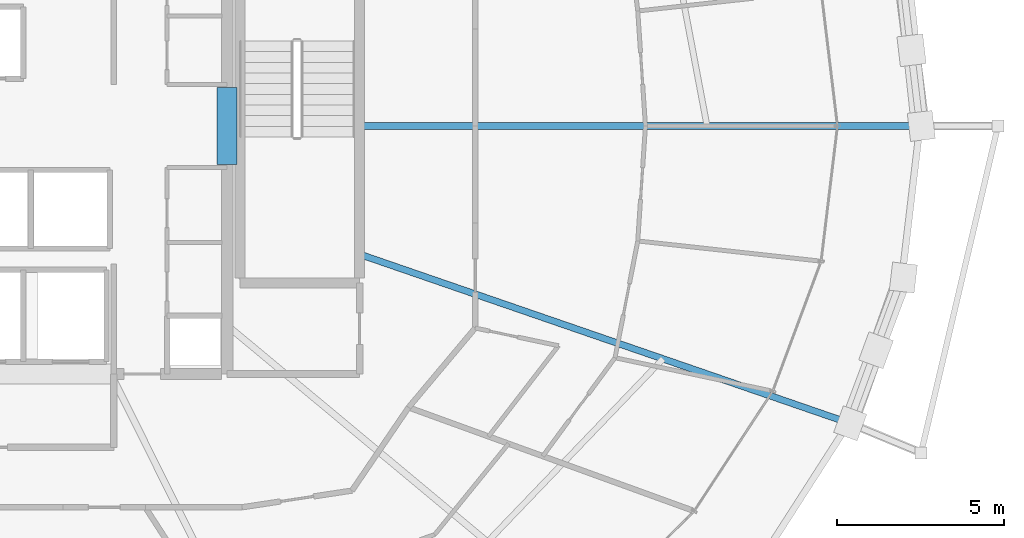
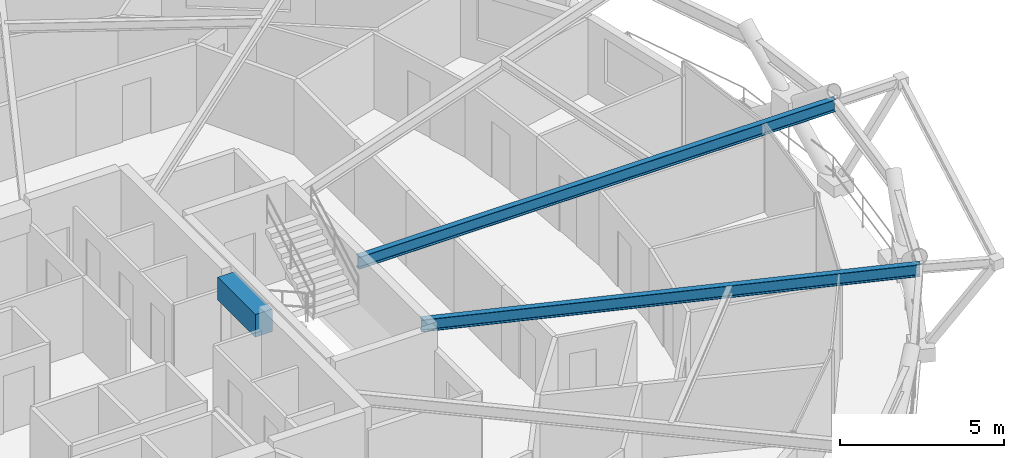
# One storey, part 9 of 20: 3 beams.
"""IFC4 building model written with IfcOpenShell, lengths in metres."""

from ifc_helpers import new_model, si_unit, direction, frame, origin, origin_2d, place, context, subcontext, project, spatial, rectangle, i_section, extrude, material, material_profile, profile_set, type_object, element, save


model = new_model("IFC4")

# Units and contexts
model_context = context("Model", 3, precision=1e-05, world=origin(), true_north=direction((0.0, 1.0)))
body_context = subcontext(model_context, "Body", "Model", "MODEL_VIEW")
ifc_project = project(units=[si_unit("LENGTHUNIT", "METRE"), si_unit("AREAUNIT", "SQUARE_METRE"), si_unit("VOLUMEUNIT", "CUBIC_METRE"), si_unit("PLANEANGLEUNIT", "RADIAN"), si_unit("MASSUNIT", "GRAM", prefix="KILO")], contexts=[model_context])

# Site, building, storey
site_placement = place(None, origin())
site = spatial("IfcSite", under=ifc_project, at=site_placement, CompositionType="ELEMENT")
building_placement = place(site_placement, origin())
building = spatial("IfcBuilding", under=site, at=building_placement, Name="Veldorina Hangang Commons", CompositionType="ELEMENT")
storey_placement = place(building_placement, frame((0.0, 0.0, 171.199951171875)))
storey = spatial("IfcBuildingStorey", under=building, at=storey_placement, Name="L44", CompositionType="ELEMENT", Elevation=171.199951171875)

# Beams
ifc_material_1 = material(Name="Concrete C60/75", Category="concrete")
ifc_material_profile_1 = material_profile(ifc_material_1, rectangle(XDim=0.60009765625, YDim=0.85009765625, at=origin_2d()), Name="RC-CB-600x850")
ifc_profile_set_1 = profile_set([ifc_material_profile_1], Name="Concrete C60/75")
beam_type_1 = type_object("IfcBeamType", Name="BM-CB850", PredefinedType="LINTEL", material=ifc_profile_set_1)
beam_1_placement = place(storey_placement, frame((39.199951171875, 22.85009765625, 2.925048828125), z_axis=(0.0, 1.0, 0.0), x_axis=(-1.0, 0.0, 0.0)))
element("IfcBeam", 1, at=beam_1_placement, inside=storey, type_object=beam_type_1, Name="L44 E core coupling lintel beam", PredefinedType="LINTEL", context=body_context, shape_type="SweptSolid", body=[
    extrude(rectangle(XDim=0.60009765625, YDim=0.85009765625, at=origin_2d()), origin(), (0.0, 0.0, 1.0), 2.2998046875),
])
ifc_material_2 = material(Name="Steel SM355-TMC", Category="steel")
ifc_material_profile_2 = material_profile(ifc_material_2, i_section(OverallWidth=0.199951171875, OverallDepth=0.449951171875, WebThickness=0.009033203125, FlangeThickness=0.013916015625, FilletRadius=0.01611328125, at=origin_2d()), Name="H-450x200x9x14")
ifc_profile_set_2 = profile_set([ifc_material_profile_2], Name="Steel SM355-TMC")
beam_type_2 = type_object("IfcBeamType", Name="BM-FG450", PredefinedType="BEAM", material=ifc_profile_set_2)
beam_2_placement = place(storey_placement, frame((43.179931640625, 24.0, 3.125), z_axis=(1.0, 0.0, 0.0), x_axis=(0.0, 1.0, 0.0)))
element("IfcBeam", 2, at=beam_2_placement, inside=storey, type_object=beam_type_2, Name="L44 radial floor girder 01", PredefinedType="BEAM", context=body_context, shape_type="SweptSolid", body=[
    extrude(i_section(OverallWidth=0.199951171875, OverallDepth=0.449951171875, WebThickness=0.009033203125, FlangeThickness=0.013916015625, FilletRadius=0.01611328125, at=origin_2d()), origin(), (0.0, 0.0, 1.0), 16.82666015625),
])
beam_3_placement = place(storey_placement, frame((43.179931640625, 20.146484375, 3.125), z_axis=(0.945422212633, -0.325847878403, 0.0), x_axis=(0.325847878403, 0.945422212633, 0.0)))
element("IfcBeam", 3, at=beam_3_placement, inside=storey, type_object=beam_type_2, Name="L44 radial floor girder 16", PredefinedType="BEAM", context=body_context, shape_type="SweptSolid", body=[
    extrude(i_section(OverallWidth=0.199951171875, OverallDepth=0.449951171875, WebThickness=0.009033203125, FlangeThickness=0.013916015625, FilletRadius=0.01611328125, at=origin_2d()), origin(), (0.0, 0.0, 1.0), 15.543212890625),
])

save(model, "model.ifc")
